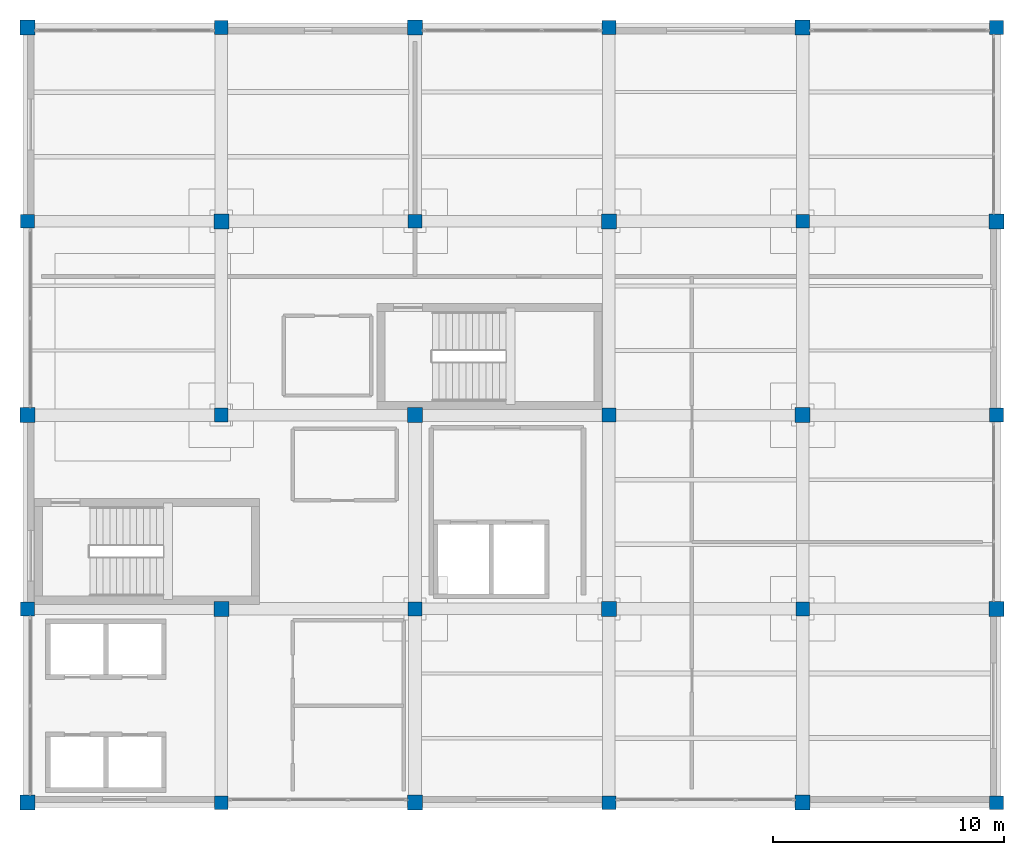
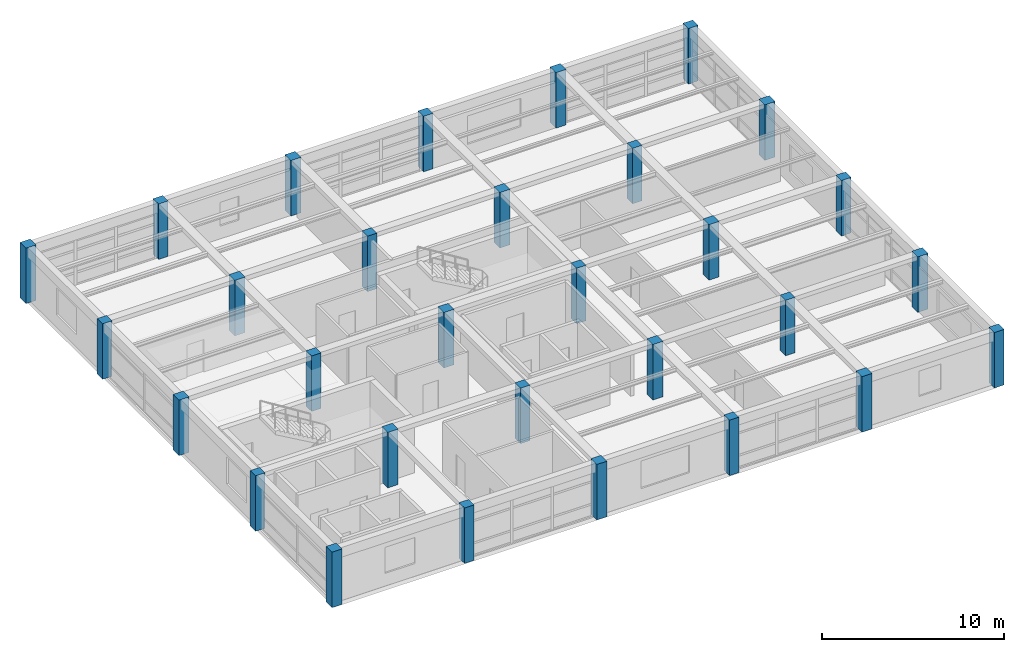
# One storey, part 1 of 26: 30 columns.
"""IFC4 building model written with IfcOpenShell, lengths in metres."""

from ifc_helpers import new_model, si_unit, direction, frame, origin, origin_2d, place, context, subcontext, project, spatial, rectangle, extrude, material, material_profile, profile_set, type_object, element, save


model = new_model("IFC4")

# Units and contexts
model_context = context("Model", 3, precision=1e-05, world=origin(), true_north=direction((0.0, 1.0)))
body_context = subcontext(model_context, "Body", "Model", "MODEL_VIEW")
ifc_project = project(units=[si_unit("LENGTHUNIT", "METRE"), si_unit("AREAUNIT", "SQUARE_METRE"), si_unit("VOLUMEUNIT", "CUBIC_METRE"), si_unit("PLANEANGLEUNIT", "RADIAN"), si_unit("MASSUNIT", "GRAM", prefix="KILO")], contexts=[model_context])

# Site, building, storey
site_placement = place(None, origin())
site = spatial("IfcSite", under=ifc_project, at=site_placement, CompositionType="ELEMENT")
building_placement = place(site_placement, origin())
building = spatial("IfcBuilding", under=site, at=building_placement, Name="Almacenes y Pasaje Nevantli", CompositionType="ELEMENT")
storey_placement = place(building_placement, frame((0.0, 0.0, 54.699951171875)))
storey = spatial("IfcBuildingStorey", under=building, at=storey_placement, Name="L13", CompositionType="ELEMENT", Elevation=54.699951171875)

# Columns
ifc_material_1 = material(Name="Concrete C45/55", Category="concrete")
ifc_material_profile_1 = material_profile(ifc_material_1, rectangle(XDim=0.60009765625, YDim=0.60009765625, at=origin_2d()), Name="RC-COL-600x600")
ifc_profile_set_1 = profile_set([ifc_material_profile_1], Name="Concrete C45/55")
column_type_1 = type_object("IfcColumnType", Name="COL-RC-600", PredefinedType="COLUMN", material=ifc_profile_set_1)
for number, where, z_axis, x_axis, name in (
    (1, (117.60009765625, 75.60009765625, 0.0), (0.0, 0.0, 1.0), (1.0, 0.0, 0.0), "L13 Reinforced Concrete Column CL-08 #2302"),
    (2, (117.60009765625, 92.39990234375, 0.0), (0.0, 0.0, 1.0), (1.0, 0.0, 0.0), "L13 Reinforced Concrete Column CL-08 #2304"),
    (3, (126.0, 67.199951171875, 0.0), (0.0, 0.0, 1.0), (1.0, 0.0, 0.0), "L13 Reinforced Concrete Column CL-08 #2306"),
    (4, (126.0, 84.0, 0.0), (0.0, 0.0, 1.0), (1.0, 0.0, 0.0), "L13 Reinforced Concrete Column CL-08 #2308"),
    (5, (126.0, 100.800048828125, 0.0), (0.0, 0.0, 1.0), (1.0, 0.0, 0.0), "L13 Reinforced Concrete Column CL-08 #2310"),
    (6, (134.39990234375, 75.60009765625, 0.0), (0.0, 0.0, 1.0), (1.0, 0.0, 0.0), "L13 Reinforced Concrete Column CL-08 #2312"),
    (7, (134.39990234375, 92.39990234375, 0.0), (0.0, 0.0, 1.0), (1.0, 0.0, 0.0), "L13 Reinforced Concrete Column CL-08 #2314"),
    (8, (142.800048828125, 67.199951171875, 0.0), (0.0, 0.0, 1.0), (1.0, 0.0, 0.0), "L13 Reinforced Concrete Column CL-08 #2316"),
    (9, (142.800048828125, 84.0, 0.0), (0.0, 0.0, 1.0), (1.0, 0.0, 0.0), "L13 Reinforced Concrete Column CL-08 #2318"),
    (10, (142.800048828125, 100.800048828125, 0.0), (0.0, 0.0, 1.0), (1.0, 0.0, 0.0), "L13 Reinforced Concrete Column CL-08 #2320"),
    (11, (151.199951171875, 75.60009765625, 0.0), (0.0, 0.0, 1.0), (1.0, 0.0, 0.0), "L13 Reinforced Concrete Column CL-08 #2322"),
    (12, (151.199951171875, 92.39990234375, 0.0), (0.0, 0.0, 1.0), (1.0, 0.0, 0.0), "L13 Reinforced Concrete Column CL-08 #2324"),
    (13, (159.60009765625, 67.199951171875, 0.0), (0.0, 0.0, 1.0), (1.0, 0.0, 0.0), "L13 Reinforced Concrete Column CL-08 #2326"),
    (14, (159.60009765625, 84.0, 0.0), (0.0, 0.0, 1.0), (1.0, 0.0, 0.0), "L13 Reinforced Concrete Column CL-08 #2328"),
    (15, (159.60009765625, 100.800048828125, 0.0), (0.0, 0.0, 1.0), (1.0, 0.0, 0.0), "L13 Reinforced Concrete Column CL-08 #2330"),
):
    element("IfcColumn", number, at=place(storey_placement, frame(where, z_axis=z_axis, x_axis=x_axis)), inside=storey, type_object=column_type_1, Name=name, PredefinedType="COLUMN", context=body_context, shape_type="SweptSolid", body=[
        extrude(rectangle(XDim=0.60009765625, YDim=0.60009765625, at=origin_2d()), origin(), (0.0, 0.0, 1.0), 3.719970703125),
    ])
ifc_material_2 = material(Name="Concrete C45/55", Category="concrete")
ifc_material_profile_2 = material_profile(ifc_material_2, rectangle(XDim=0.64990234375, YDim=0.64990234375, at=origin_2d()), Name="RC-COL-650x650")
ifc_profile_set_2 = profile_set([ifc_material_profile_2], Name="Concrete C45/55")
column_type_2 = type_object("IfcColumnType", Name="COL-RC-650", PredefinedType="COLUMN", material=ifc_profile_set_2)
for number, where, z_axis, x_axis, name in (
    (16, (117.60009765625, 67.199951171875, 0.0), (0.0, 0.0, 1.0), (1.0, 0.0, 0.0), "L13 Reinforced Concrete Column CL-07 #2301"),
    (17, (117.60009765625, 84.0, 0.0), (0.0, 0.0, 1.0), (1.0, 0.0, 0.0), "L13 Reinforced Concrete Column CL-07 #2303"),
    (18, (117.60009765625, 100.800048828125, 0.0), (0.0, 0.0, 1.0), (1.0, 0.0, 0.0), "L13 Reinforced Concrete Column CL-07 #2305"),
    (19, (126.0, 75.60009765625, 0.0), (0.0, 0.0, 1.0), (1.0, 0.0, 0.0), "L13 Reinforced Concrete Column CL-07 #2307"),
    (20, (126.0, 92.39990234375, 0.0), (0.0, 0.0, 1.0), (1.0, 0.0, 0.0), "L13 Reinforced Concrete Column CL-07 #2309"),
    (21, (134.39990234375, 67.199951171875, 0.0), (0.0, 0.0, 1.0), (1.0, 0.0, 0.0), "L13 Reinforced Concrete Column CL-07 #2311"),
    (22, (134.39990234375, 84.0, 0.0), (0.0, 0.0, 1.0), (1.0, 0.0, 0.0), "L13 Reinforced Concrete Column CL-07 #2313"),
    (23, (134.39990234375, 100.800048828125, 0.0), (0.0, 0.0, 1.0), (1.0, 0.0, 0.0), "L13 Reinforced Concrete Column CL-07 #2315"),
    (24, (142.800048828125, 75.60009765625, 0.0), (0.0, 0.0, 1.0), (1.0, 0.0, 0.0), "L13 Reinforced Concrete Column CL-07 #2317"),
    (25, (142.800048828125, 92.39990234375, 0.0), (0.0, 0.0, 1.0), (1.0, 0.0, 0.0), "L13 Reinforced Concrete Column CL-07 #2319"),
    (26, (151.199951171875, 67.199951171875, 0.0), (0.0, 0.0, 1.0), (1.0, 0.0, 0.0), "L13 Reinforced Concrete Column CL-07 #2321"),
    (27, (151.199951171875, 84.0, 0.0), (0.0, 0.0, 1.0), (1.0, 0.0, 0.0), "L13 Reinforced Concrete Column CL-07 #2323"),
    (28, (151.199951171875, 100.800048828125, 0.0), (0.0, 0.0, 1.0), (1.0, 0.0, 0.0), "L13 Reinforced Concrete Column CL-07 #2325"),
    (29, (159.60009765625, 75.60009765625, 0.0), (0.0, 0.0, 1.0), (1.0, 0.0, 0.0), "L13 Reinforced Concrete Column CL-07 #2327"),
    (30, (159.60009765625, 92.39990234375, 0.0), (0.0, 0.0, 1.0), (1.0, 0.0, 0.0), "L13 Reinforced Concrete Column CL-07 #2329"),
):
    element("IfcColumn", number, at=place(storey_placement, frame(where, z_axis=z_axis, x_axis=x_axis)), inside=storey, type_object=column_type_2, Name=name, PredefinedType="COLUMN", context=body_context, shape_type="SweptSolid", body=[
        extrude(rectangle(XDim=0.64990234375, YDim=0.64990234375, at=origin_2d()), origin(), (0.0, 0.0, 1.0), 3.719970703125),
    ])

save(model, "model.ifc")
